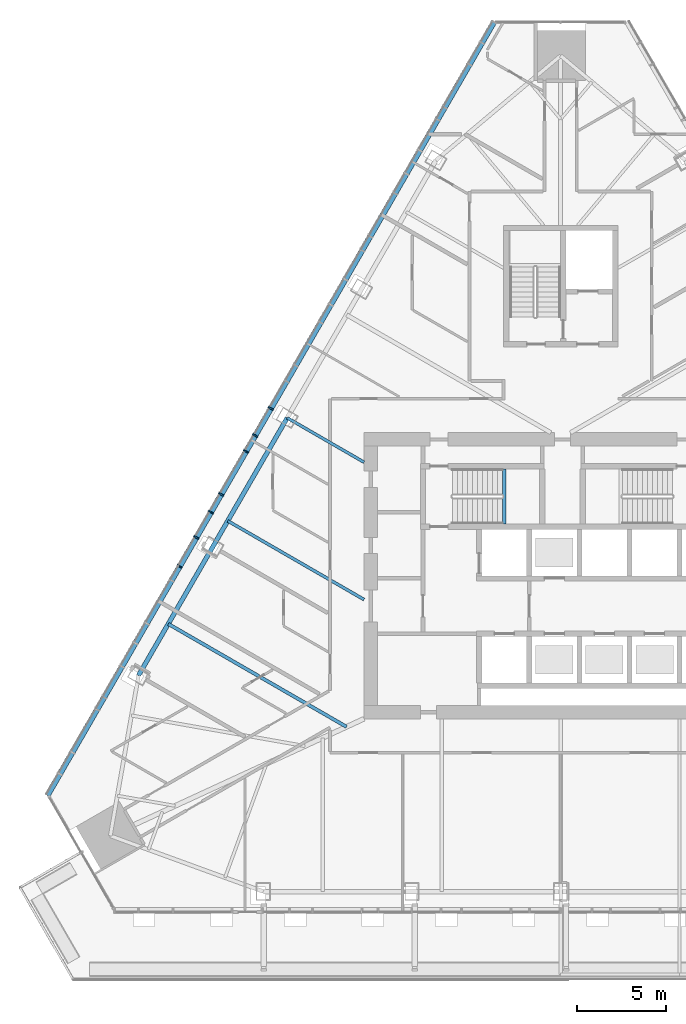
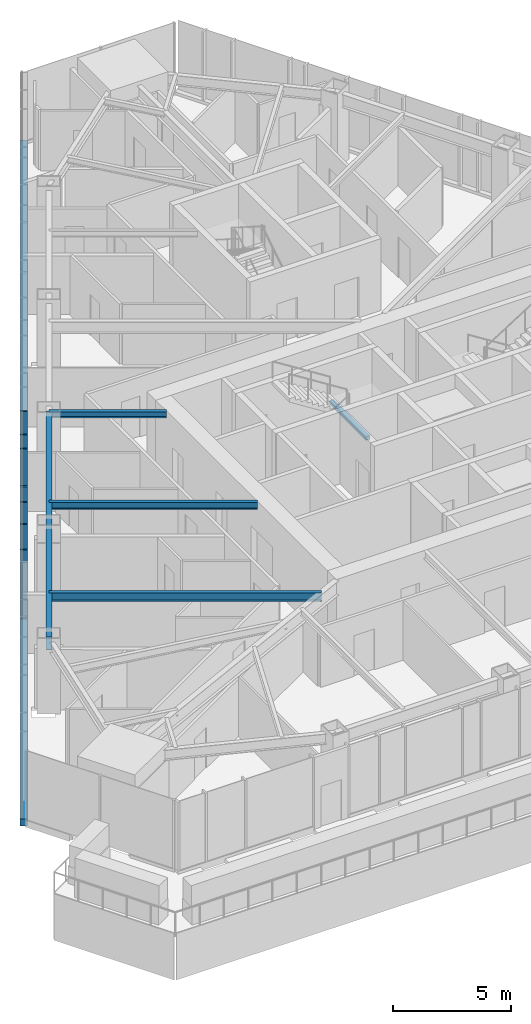
# One storey, part 3 of 21: 8 members, 5 beams, 1 element without a shape of its own.
"""IFC4 building model written with IfcOpenShell, lengths in metres."""

from ifc_helpers import new_model, si_unit, direction, frame, origin, origin_2d, place, context, subcontext, project, spatial, rectangle, i_section, extrude, material, layer, layer_set, material_profile, profile_set, type_object, element, aggregate, save


model = new_model("IFC4")

# Units and contexts
model_context = context("Model", 3, precision=1e-05, world=origin(), true_north=direction((0.0, 1.0)))
body_context = subcontext(model_context, "Body", "Model", "MODEL_VIEW")
ifc_project = project(units=[si_unit("LENGTHUNIT", "METRE"), si_unit("AREAUNIT", "SQUARE_METRE"), si_unit("VOLUMEUNIT", "CUBIC_METRE"), si_unit("PLANEANGLEUNIT", "RADIAN"), si_unit("MASSUNIT", "GRAM", prefix="KILO")], contexts=[model_context])

# Site, building, storey
site_placement = place(None, origin())
site = spatial("IfcSite", under=ifc_project, at=site_placement, CompositionType="ELEMENT")
building_placement = place(site_placement, origin())
building = spatial("IfcBuilding", under=site, at=building_placement, Name="Firuza Gate Tower and Library", CompositionType="ELEMENT")
storey_placement = place(building_placement, frame((0.0, 0.0, 222.10009765625)))
storey = spatial("IfcBuildingStorey", under=building, at=storey_placement, Name="L52", CompositionType="ELEMENT", Elevation=222.10009765625)

# Curtain wall, members
ifc_material_1 = material(Name="Aluminium 6063-T6", Category="aluminium")
ifc_layer = layer(ifc_material_1, 0.14990234375)
ifc_layer_set = layer_set([ifc_layer], Name="Unitised curtain wall, hotel")
curtain_wall_type = type_object("IfcCurtainWallType", Name="Unitised curtain wall, hotel", PredefinedType="NOTDEFINED", material=ifc_layer_set)
curtain_wall_placement = place(storey_placement, origin())
curtain_wall = element("IfcCurtainWall", 1, at=curtain_wall_placement, inside=storey, type_object=curtain_wall_type, Name="CW2 L52 W face", PredefinedType="NOTDEFINED")
ifc_material_2 = material(Name="Aluminium 6063-T6", Category="aluminium")
ifc_material_profile_1 = material_profile(ifc_material_2, rectangle(XDim=0.320068359375, YDim=0.080078125, at=origin_2d()))
ifc_profile_set_1 = profile_set([ifc_material_profile_1], Name="Aluminium 6063-T6")
member_type_1 = type_object("IfcMemberType", Name="Curtain wall mullion 80x320", PredefinedType="MULLION", material=ifc_profile_set_1)
member_1_placement = place(storey_placement, frame((58.78515625, 84.36181640625, 0.14990234375), z_axis=(0.0, 0.0, 1.0), x_axis=(0.866025403784, -0.5, 0.0)))
member_1 = element("IfcMember", 2, at=member_1_placement, type_object=member_type_1, Name="Mullion", PredefinedType="MULLION", context=body_context, shape_type="SweptSolid", body=[
    extrude(rectangle(XDim=0.320068359375, YDim=0.080078125, at=origin_2d()), origin(), (0.0, 0.0, 1.0), 3.550048828125),
])
member_2_placement = place(storey_placement, frame((57.396484375, 81.95654296875, 0.14990234375), z_axis=(0.0, 0.0, 1.0), x_axis=(0.866025403784, -0.5, 0.0)))
member_2 = element("IfcMember", 3, at=member_2_placement, type_object=member_type_1, Name="Mullion", PredefinedType="MULLION", context=body_context, shape_type="SweptSolid", body=[
    extrude(rectangle(XDim=0.320068359375, YDim=0.080078125, at=origin_2d()), origin(), (0.0, 0.0, 1.0), 3.550048828125),
])
member_3_placement = place(storey_placement, frame((56.0078125, 79.55126953125, 0.14990234375), z_axis=(0.0, 0.0, 1.0), x_axis=(0.866025403784, -0.5, 0.0)))
member_3 = element("IfcMember", 4, at=member_3_placement, type_object=member_type_1, Name="Mullion", PredefinedType="MULLION", context=body_context, shape_type="SweptSolid", body=[
    extrude(rectangle(XDim=0.320068359375, YDim=0.080078125, at=origin_2d()), origin(), (0.0, 0.0, 1.0), 3.550048828125),
])
member_4_placement = place(storey_placement, frame((54.619140625, 77.14599609375, 0.14990234375), z_axis=(0.0, 0.0, 1.0), x_axis=(0.866025403784, -0.5, 0.0)))
member_4 = element("IfcMember", 5, at=member_4_placement, type_object=member_type_1, Name="Mullion", PredefinedType="MULLION", context=body_context, shape_type="SweptSolid", body=[
    extrude(rectangle(XDim=0.320068359375, YDim=0.080078125, at=origin_2d()), origin(), (0.0, 0.0, 1.0), 3.550048828125),
])
member_5_placement = place(storey_placement, frame((57.908935546875, 82.84423828125, 0.14990234375), z_axis=(0.0, 0.0, 1.0), x_axis=(0.866025403784, -0.5, 0.0)))
member_5 = element("IfcMember", 6, at=member_5_placement, type_object=member_type_1, Name="Mullion", PredefinedType="MULLION", context=body_context, shape_type="SweptSolid", body=[
    extrude(rectangle(XDim=0.320068359375, YDim=0.080078125, at=origin_2d()), origin(), (0.0, 0.0, 1.0), 3.550048828125),
])
member_6_placement = place(storey_placement, frame((55.433349609375, 78.55615234375, 0.14990234375), z_axis=(0.0, 0.0, 1.0), x_axis=(0.866025403784, -0.5, 0.0)))
member_6 = element("IfcMember", 7, at=member_6_placement, type_object=member_type_1, Name="Mullion", PredefinedType="MULLION", context=body_context, shape_type="SweptSolid", body=[
    extrude(rectangle(XDim=0.320068359375, YDim=0.080078125, at=origin_2d()), origin(), (0.0, 0.0, 1.0), 3.550048828125),
])
member_7_placement = place(storey_placement, frame((53.68115234375, 75.521484375, 0.14990234375), z_axis=(0.0, 0.0, 1.0), x_axis=(0.866025403784, -0.5, 0.0)))
member_7 = element("IfcMember", 8, at=member_7_placement, type_object=member_type_1, Name="Mullion", PredefinedType="MULLION", context=body_context, shape_type="SweptSolid", body=[
    extrude(rectangle(XDim=0.320068359375, YDim=0.080078125, at=origin_2d()), origin(), (0.0, 0.0, 1.0), 3.550048828125),
])
ifc_material_3 = material(Name="Aluminium 6063-T6", Category="aluminium")
ifc_material_profile_2 = material_profile(ifc_material_3, rectangle(XDim=0.320068359375, YDim=0.35009765625, at=origin_2d()))
ifc_profile_set_2 = profile_set([ifc_material_profile_2], Name="Aluminium 6063-T6")
member_type_2 = type_object("IfcMemberType", Name="Curtain wall transom 350x320", PredefinedType="USERDEFINED", material=ifc_profile_set_2)
member_8_placement = place(storey_placement, frame((71.283203125, 106.009033203125, -0.025146484375), z_axis=(-0.499998498353, -0.866026270759, 0.0), x_axis=(0.866026270759, -0.499998498353, 0.0)))
member_8 = element("IfcMember", 9, at=member_8_placement, type_object=member_type_2, Name="Transom", ObjectType="TRANSOM", PredefinedType="USERDEFINED", context=body_context, shape_type="SweptSolid", body=[
    extrude(rectangle(XDim=0.320068359375, YDim=0.35009765625, at=origin_2d()), origin(), (0.0, 0.0, 1.0), 49.992431640625),
])
aggregate(curtain_wall, [member_1, member_2, member_3, member_4, member_8, member_5, member_6, member_7])

# Beams
ifc_material_4 = material(Name="Concrete C35/45", Category="concrete")
ifc_material_profile_3 = material_profile(ifc_material_4, rectangle(XDim=0.199951171875, YDim=0.199951171875, at=origin_2d()))
ifc_profile_set_3 = profile_set([ifc_material_profile_3], Name="Concrete C35/45")
beam_type_1 = type_object("IfcBeamType", Name="Stair landing bearer 200x200", PredefinedType="BEAM", material=ifc_profile_set_3)
beam_1_placement = place(storey_placement, frame((71.840087890625, 77.89990234375, 1.64990234375), z_axis=(0.0, 1.0, 0.0), x_axis=(-1.0, 0.0, 0.0)))
element("IfcBeam", 10, at=beam_1_placement, inside=storey, type_object=beam_type_1, Name="Landing bearer L52 stair 1", PredefinedType="BEAM", context=body_context, shape_type="SweptSolid", body=[
    extrude(rectangle(XDim=0.199951171875, YDim=0.199951171875, at=origin_2d()), origin(), (0.0, 0.0, 1.0), 3.080078125),
])
ifc_material_5 = material(Name="Steel S355", Category="steel")
ifc_material_profile_4 = material_profile(ifc_material_5, i_section(OverallWidth=0.1650390625, OverallDepth=0.31005859375, WebThickness=0.005859375, FlangeThickness=0.009765625, at=origin_2d()))
ifc_profile_set_4 = profile_set([ifc_material_profile_4], Name="Steel S355")
beam_type_2 = type_object("IfcBeamType", Name="W310x39 Floor beam", PredefinedType="JOIST", material=ifc_profile_set_4)
beam_2_placement = place(storey_placement, frame((59.703125, 83.831787109375, 3.544921875), z_axis=(0.866011868261, -0.500023443481, 0.0), x_axis=(0.500023443481, 0.866011868261, 0.0)))
element("IfcBeam", 11, at=beam_2_placement, inside=storey, type_object=beam_type_2, Name="Floor beam L52 s82", PredefinedType="JOIST", context=body_context, shape_type="SweptSolid", body=[
    extrude(i_section(OverallWidth=0.1650390625, OverallDepth=0.31005859375, WebThickness=0.005859375, FlangeThickness=0.009765625, at=origin_2d()), origin(), (0.0, 0.0, 1.0), 4.961669921875),
])
ifc_material_6 = material(Name="Steel S355", Category="steel")
ifc_material_profile_5 = material_profile(ifc_material_6, i_section(OverallWidth=0.1708984375, OverallDepth=0.35498046875, WebThickness=0.007080078125, FlangeThickness=0.01171875, at=origin_2d()))
ifc_profile_set_5 = profile_set([ifc_material_profile_5], Name="Steel S355")
beam_type_3 = type_object("IfcBeamType", Name="W360x51 Floor beam", PredefinedType="JOIST", material=ifc_profile_set_5)
beam_3_placement = place(storey_placement, frame((56.3759765625, 78.069091796875, 3.5224609375), z_axis=(0.866031338417, -0.499989720774, 0.0), x_axis=(0.499989720774, 0.866031338417, 0.0)))
element("IfcBeam", 12, at=beam_3_placement, inside=storey, type_object=beam_type_3, Name="Floor beam L52 s83", PredefinedType="JOIST", context=body_context, shape_type="SweptSolid", body=[
    extrude(i_section(OverallWidth=0.1708984375, OverallDepth=0.35498046875, WebThickness=0.007080078125, FlangeThickness=0.01171875, at=origin_2d()), origin(), (0.0, 0.0, 1.0), 8.803466796875),
])
ifc_material_7 = material(Name="Steel S355", Category="steel")
ifc_material_profile_6 = material_profile(ifc_material_7, i_section(OverallWidth=0.18994140625, OverallDepth=0.45703125, WebThickness=0.009033203125, FlangeThickness=0.014404296875, at=origin_2d()))
ifc_profile_set_6 = profile_set([ifc_material_profile_6], Name="Steel S355")
beam_type_4 = type_object("IfcBeamType", Name="W460x74 Floor beam", PredefinedType="JOIST", material=ifc_profile_set_6)
beam_4_placement = place(storey_placement, frame((53.049072265625, 72.306396484375, 3.471435546875), z_axis=(0.86603094684, -0.499990399024, 0.0), x_axis=(0.499990399024, 0.86603094684, 0.0)))
element("IfcBeam", 13, at=beam_4_placement, inside=storey, type_object=beam_type_4, Name="Floor beam L52 s84", PredefinedType="JOIST", context=body_context, shape_type="SweptSolid", body=[
    extrude(i_section(OverallWidth=0.18994140625, OverallDepth=0.45703125, WebThickness=0.009033203125, FlangeThickness=0.014404296875, at=origin_2d()), origin(), (0.0, 0.0, 1.0), 11.515380859375),
])
ifc_material_8 = material(Name="Steel S355", Category="steel")
ifc_material_profile_7 = material_profile(ifc_material_8, i_section(OverallWidth=0.2529296875, OverallDepth=0.677978515625, WebThickness=0.01171875, FlangeThickness=0.016357421875, at=origin_2d()))
ifc_profile_set_7 = profile_set([ifc_material_profile_7], Name="Steel S355")
beam_type_5 = type_object("IfcBeamType", Name="W690x125 Edge beam", PredefinedType="SPANDREL", material=ifc_profile_set_7)
beam_5_placement = place(storey_placement, frame((59.703125, 83.831787109375, 3.36083984375), z_axis=(-0.500001518599, -0.866024527019, 0.0), x_axis=(0.866024527019, -0.500001518599, 0.0)))
element("IfcBeam", 14, at=beam_5_placement, inside=storey, type_object=beam_type_5, Name="Edge beam L52 e82", PredefinedType="SPANDREL", context=body_context, shape_type="SweptSolid", body=[
    extrude(i_section(OverallWidth=0.2529296875, OverallDepth=0.677978515625, WebThickness=0.01171875, FlangeThickness=0.016357421875, at=origin_2d()), origin(), (0.0, 0.0, 1.0), 16.63525390625),
])

save(model, "model.ifc")
